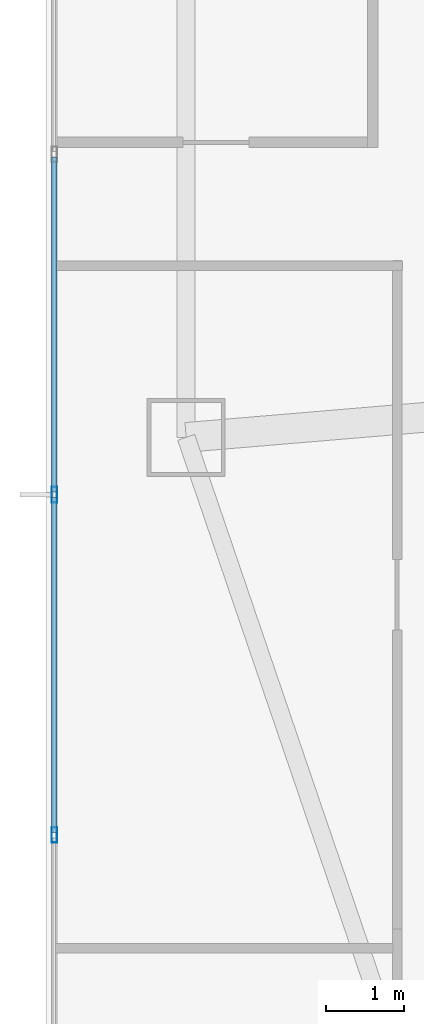
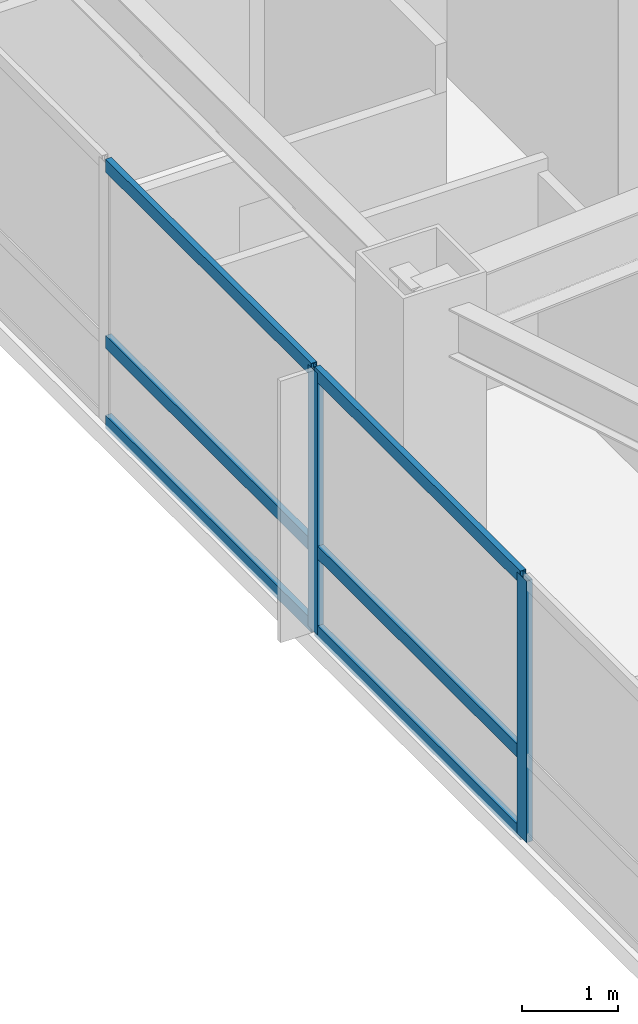
# One storey, part 4 of 18: 8 members, 1 element without a shape of its own.
"""IFC4 building model written with IfcOpenShell, lengths in metres."""

from ifc_helpers import new_model, si_unit, direction, frame, origin, origin_2d, place, context, subcontext, project, spatial, hollow_rectangle, extrude, material, material_profile, profile_set, type_object, element, aggregate, save


model = new_model("IFC4")

# Units and contexts
model_context = context("Model", 3, precision=1e-05, world=origin(), true_north=direction((0.0, 1.0)))
body_context = subcontext(model_context, "Body", "Model", "MODEL_VIEW")
ifc_project = project(units=[si_unit("LENGTHUNIT", "METRE"), si_unit("AREAUNIT", "SQUARE_METRE"), si_unit("VOLUMEUNIT", "CUBIC_METRE"), si_unit("PLANEANGLEUNIT", "RADIAN"), si_unit("MASSUNIT", "GRAM", prefix="KILO")], contexts=[model_context])

# Site, building, storey
site_placement = place(None, origin())
site = spatial("IfcSite", under=ifc_project, at=site_placement, CompositionType="ELEMENT")
building_placement = place(site_placement, origin())
building = spatial("IfcBuilding", under=site, at=building_placement, Name="Khamvora Tower", CompositionType="ELEMENT")
storey_placement = place(building_placement, frame((0.0, 0.0, 80.75)))
storey = spatial("IfcBuildingStorey", under=building, at=storey_placement, Name="L20", CompositionType="ELEMENT", Elevation=80.75)

# Curtain wall, members
ifc_material = material(Name="Anodised Aluminium 6063-T6", Category="aluminium")
curtain_wall_type = type_object("IfcCurtainWallType", Name="CW-SYS-02", PredefinedType="NOTDEFINED", material=ifc_material)
curtain_wall_placement = place(storey_placement, origin())
curtain_wall = element("IfcCurtainWall", 1, at=curtain_wall_placement, inside=storey, type_object=curtain_wall_type, Name="L20 stick curtain wall 02.1", PredefinedType="NOTDEFINED")
ifc_material_profile_1 = material_profile(ifc_material, hollow_rectangle(XDim=0.070068359375, YDim=0.199951171875, WallThickness=0.0048828125, at=origin_2d()), Name="MUL70x200x5")
ifc_profile_set_1 = profile_set([ifc_material_profile_1], Name="Anodised Aluminium 6063-T6")
member_type_1 = type_object("IfcMemberType", Name="CW-SYS-02-MUL", PredefinedType="MULLION", material=ifc_profile_set_1)
member_1_placement = place(storey_placement, frame((4.110107421875, 11.678466796875, 0.0), z_axis=(0.0, 0.0, 1.0), x_axis=(-1.0, 0.0, 0.0)))
member_1 = element("IfcMember", 2, at=member_1_placement, type_object=member_type_1, Name="CW-02 mullion 2", PredefinedType="MULLION", context=body_context, shape_type="SweptSolid", body=[
    extrude(hollow_rectangle(XDim=0.070068359375, YDim=0.199951171875, WallThickness=0.0048828125, at=origin_2d()), origin(), (0.0, 0.0, 1.0), 3.330078125),
])
member_2_placement = place(storey_placement, frame((4.110107421875, 16.0400390625, 0.0), z_axis=(0.0, 0.0, 1.0), x_axis=(-1.0, 0.0, 0.0)))
member_2 = element("IfcMember", 3, at=member_2_placement, type_object=member_type_1, Name="CW-02 mullion 3", PredefinedType="MULLION", context=body_context, shape_type="SweptSolid", body=[
    extrude(hollow_rectangle(XDim=0.070068359375, YDim=0.199951171875, WallThickness=0.0048828125, at=origin_2d()), origin(), (0.0, 0.0, 1.0), 3.330078125),
])
ifc_material_profile_2 = material_profile(ifc_material, hollow_rectangle(XDim=0.070068359375, YDim=0.1650390625, WallThickness=0.0048828125, at=origin_2d()), Name="TRN70x165x5")
ifc_profile_set_2 = profile_set([ifc_material_profile_2], Name="Anodised Aluminium 6063-T6")
member_type_2 = type_object("IfcMemberType", Name="CW-SYS-02-TRN", PredefinedType="USERDEFINED", material=ifc_profile_set_2)
member_3_placement = place(storey_placement, frame((4.110107421875, 11.71337890625, 0.034912109375), z_axis=(0.0, 1.0, 0.0), x_axis=(-1.0, 0.0, 0.0)))
member_3 = element("IfcMember", 4, at=member_3_placement, type_object=member_type_2, Name="CW-02 transom 2.1", ObjectType="TRANSOM", PredefinedType="USERDEFINED", context=body_context, shape_type="SweptSolid", body=[
    extrude(hollow_rectangle(XDim=0.070068359375, YDim=0.1650390625, WallThickness=0.0048828125, at=origin_2d()), origin(), (0.0, 0.0, 1.0), 4.29150390625),
])
member_4_placement = place(storey_placement, frame((4.110107421875, 11.71337890625, 1.050048828125), z_axis=(0.0, 1.0, 0.0), x_axis=(-1.0, 0.0, 0.0)))
member_4 = element("IfcMember", 5, at=member_4_placement, type_object=member_type_2, Name="CW-02 transom 2.2", ObjectType="TRANSOM", PredefinedType="USERDEFINED", context=body_context, shape_type="SweptSolid", body=[
    extrude(hollow_rectangle(XDim=0.070068359375, YDim=0.1650390625, WallThickness=0.0048828125, at=origin_2d()), origin(), (0.0, 0.0, 1.0), 4.29150390625),
])
member_5_placement = place(storey_placement, frame((4.110107421875, 11.71337890625, 3.294921875), z_axis=(0.0, 1.0, 0.0), x_axis=(-1.0, 0.0, 0.0)))
member_5 = element("IfcMember", 6, at=member_5_placement, type_object=member_type_2, Name="CW-02 transom 2.3", ObjectType="TRANSOM", PredefinedType="USERDEFINED", context=body_context, shape_type="SweptSolid", body=[
    extrude(hollow_rectangle(XDim=0.070068359375, YDim=0.1650390625, WallThickness=0.0048828125, at=origin_2d()), origin(), (0.0, 0.0, 1.0), 4.29150390625),
])
member_6_placement = place(storey_placement, frame((4.110107421875, 16.074951171875, 0.034912109375), z_axis=(0.0, 1.0, 0.0), x_axis=(-1.0, 0.0, 0.0)))
member_6 = element("IfcMember", 7, at=member_6_placement, type_object=member_type_2, Name="CW-02 transom 3.1", ObjectType="TRANSOM", PredefinedType="USERDEFINED", context=body_context, shape_type="SweptSolid", body=[
    extrude(hollow_rectangle(XDim=0.070068359375, YDim=0.1650390625, WallThickness=0.0048828125, at=origin_2d()), origin(), (0.0, 0.0, 1.0), 4.29150390625),
])
member_7_placement = place(storey_placement, frame((4.110107421875, 16.074951171875, 1.050048828125), z_axis=(0.0, 1.0, 0.0), x_axis=(-1.0, 0.0, 0.0)))
member_7 = element("IfcMember", 8, at=member_7_placement, type_object=member_type_2, Name="CW-02 transom 3.2", ObjectType="TRANSOM", PredefinedType="USERDEFINED", context=body_context, shape_type="SweptSolid", body=[
    extrude(hollow_rectangle(XDim=0.070068359375, YDim=0.1650390625, WallThickness=0.0048828125, at=origin_2d()), origin(), (0.0, 0.0, 1.0), 4.29150390625),
])
member_8_placement = place(storey_placement, frame((4.110107421875, 16.074951171875, 3.294921875), z_axis=(0.0, 1.0, 0.0), x_axis=(-1.0, 0.0, 0.0)))
member_8 = element("IfcMember", 9, at=member_8_placement, type_object=member_type_2, Name="CW-02 transom 3.3", ObjectType="TRANSOM", PredefinedType="USERDEFINED", context=body_context, shape_type="SweptSolid", body=[
    extrude(hollow_rectangle(XDim=0.070068359375, YDim=0.1650390625, WallThickness=0.0048828125, at=origin_2d()), origin(), (0.0, 0.0, 1.0), 4.29150390625),
])
aggregate(curtain_wall, [member_1, member_2, member_3, member_4, member_5, member_6, member_7, member_8])

save(model, "model.ifc")
